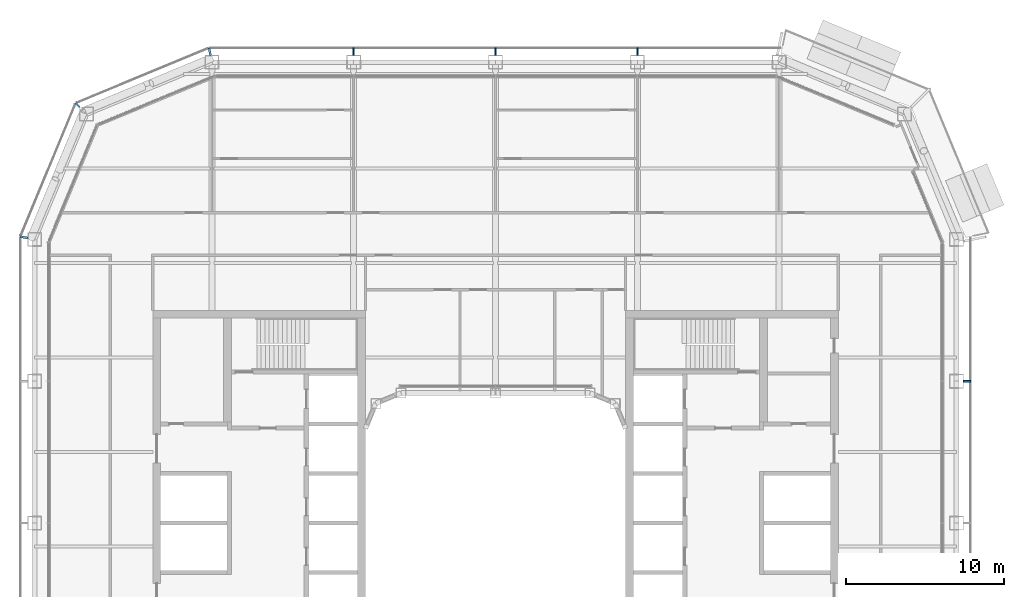
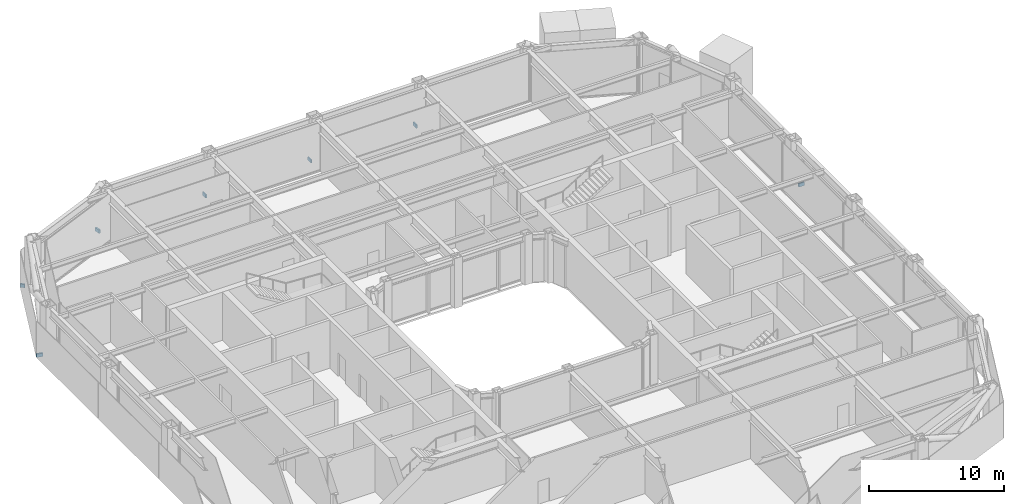
# One storey, part 17 of 24: 7 discrete accessories.
"""IFC4 building model written with IfcOpenShell, lengths in metres."""

from ifc_helpers import new_model, si_unit, direction, frame, origin, origin_2d, place, context, subcontext, project, spatial, rectangle, extrude, material, type_object, element, save


model = new_model("IFC4")

# Units and contexts
model_context = context("Model", 3, precision=1e-05, world=origin(), true_north=direction((0.0, 1.0)))
body_context = subcontext(model_context, "Body", "Model", "MODEL_VIEW")
ifc_project = project(units=[si_unit("LENGTHUNIT", "METRE"), si_unit("AREAUNIT", "SQUARE_METRE"), si_unit("VOLUMEUNIT", "CUBIC_METRE"), si_unit("PLANEANGLEUNIT", "RADIAN"), si_unit("MASSUNIT", "GRAM", prefix="KILO")], contexts=[model_context])

# Site, building, storey
site_placement = place(None, origin())
site = spatial("IfcSite", under=ifc_project, at=site_placement, CompositionType="ELEMENT")
building_placement = place(site_placement, origin())
building = spatial("IfcBuilding", under=site, at=building_placement, Name="Siwar Civic Tower", CompositionType="ELEMENT")
storey_placement = place(building_placement, frame((0.0, 0.0, 149.699951171875)))
storey = spatial("IfcBuildingStorey", under=building, at=storey_placement, Name="L32", CompositionType="ELEMENT", Elevation=149.699951171875)

# Discrete accessories
ifc_material = material(Name="Stainless steel 316", Category="steel")
discrete_accessory_type = type_object("IfcDiscreteAccessoryType", Name="ENV-BRACKET", PredefinedType="BRACKET", material=ifc_material)
for number, where, z_axis, x_axis, name in (
    (1, (29.9150390625, 9.0, -0.14990234375), (0.0, 0.0, 1.0), (1.0, 0.0, 0.0), "Bracket outer skin joint E-03"),
    (2, (9.0, 29.9150390625, -0.14990234375), (0.0, 0.0, 1.0), (0.0, 1.0, 0.0), "Bracket outer skin joint N-01"),
    (3, (0.0, 29.9150390625, -0.14990234375), (0.0, 0.0, 1.0), (0.0, 1.0, 0.0), "Bracket outer skin joint N-02"),
    (4, (-9.0, 29.9150390625, -0.14990234375), (0.0, 0.0, 1.0), (0.0, 1.0, 0.0), "Bracket outer skin joint N-03"),
):
    element("IfcDiscreteAccessory", number, at=place(storey_placement, frame(where, z_axis=z_axis, x_axis=x_axis)), inside=storey, type_object=discrete_accessory_type, Name=name, PredefinedType="BRACKET", context=body_context, shape_type="SweptSolid", body=[
        extrude(rectangle(XDim=0.469970703125, YDim=0.10009765625, at=origin_2d()), origin(), (0.0, 0.0, 1.0), 0.300048828125),
    ])
discrete_accessory_1_placement = place(storey_placement, frame((-18.13232421875, 29.915283203125, -0.14990234375), z_axis=(0.0, 0.0, 1.0), x_axis=(-0.195090322016, 0.980785280403, 0.0)))
element("IfcDiscreteAccessory", 5, at=discrete_accessory_1_placement, inside=storey, type_object=discrete_accessory_type, Name="Bracket outer skin joint V07", PredefinedType="BRACKET", context=body_context, shape_type="SweptSolid", body=[
    extrude(rectangle(XDim=0.478759765625, YDim=0.13720703125, at=origin_2d()), origin(), (0.0, 0.0, 1.0), 0.300048828125),
])
discrete_accessory_2_placement = place(storey_placement, frame((-26.517333984375, 26.517333984375, -0.14990234375), z_axis=(0.0, 0.0, 1.0), x_axis=(-0.707106781187, 0.707106781187, 0.0)))
element("IfcDiscreteAccessory", 6, at=discrete_accessory_2_placement, inside=storey, type_object=discrete_accessory_type, Name="Bracket outer skin joint V08", PredefinedType="BRACKET", context=body_context, shape_type="SweptSolid", body=[
    extrude(rectangle(XDim=0.357666015625, YDim=0.12939453125, at=origin_2d()), origin(), (0.0, 0.0, 1.0), 0.300048828125),
])
discrete_accessory_3_placement = place(storey_placement, frame((-29.915283203125, 18.13232421875, -0.14990234375), z_axis=(0.0, 0.0, 1.0), x_axis=(-0.980785280403, 0.195090322016, 0.0)))
element("IfcDiscreteAccessory", 7, at=discrete_accessory_3_placement, inside=storey, type_object=discrete_accessory_type, Name="Bracket outer skin joint V09", PredefinedType="BRACKET", context=body_context, shape_type="SweptSolid", body=[
    extrude(rectangle(XDim=0.478759765625, YDim=0.13720703125, at=origin_2d()), origin(), (0.0, 0.0, 1.0), 0.300048828125),
])

save(model, "model.ifc")
